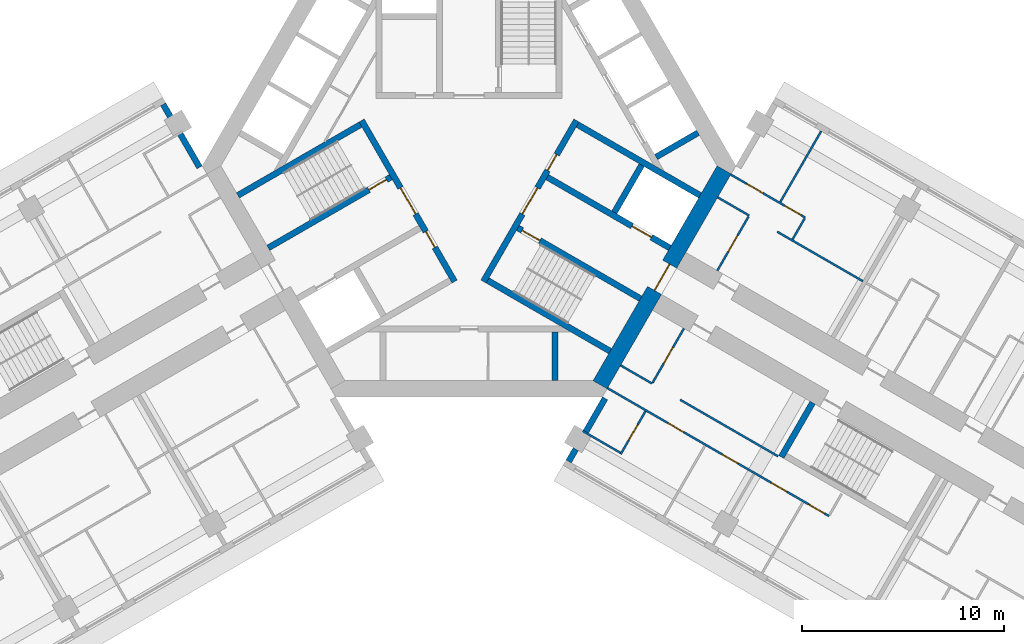
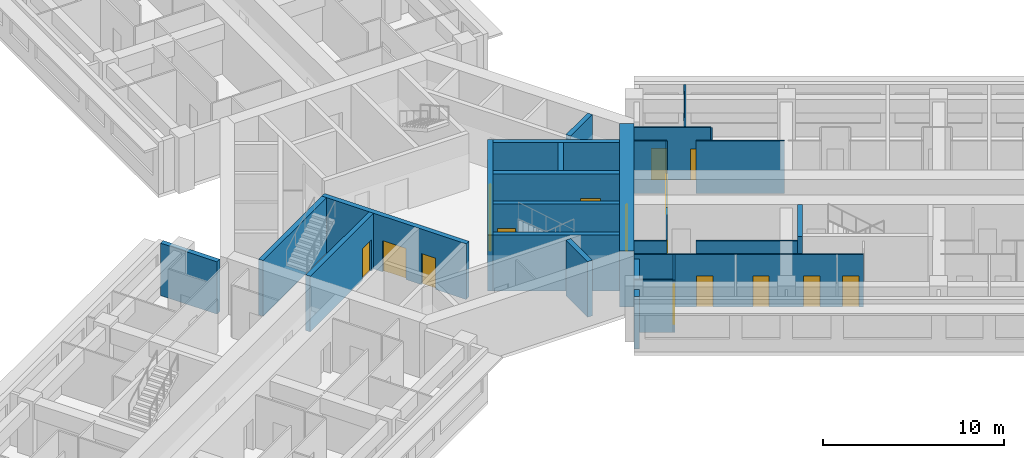
# One storey, part 7 of 14: 28 walls, 17 doors, 17 openings.
"""IFC4 building model written with IfcOpenShell, lengths in metres."""

from ifc_helpers import new_model, si_unit, direction, frame, frame_2d, origin, place, context, subcontext, project, spatial, rectangle, extrude, material, layer, layer_set, type_object, element, fill, save


model = new_model("IFC4")

# Units and contexts
model_context = context("Model", 3, precision=1e-05, world=origin(), true_north=direction((0.0, 1.0)))
body_context = subcontext(model_context, "Body", "Model", "MODEL_VIEW")
ifc_project = project(units=[si_unit("LENGTHUNIT", "METRE"), si_unit("AREAUNIT", "SQUARE_METRE"), si_unit("VOLUMEUNIT", "CUBIC_METRE"), si_unit("PLANEANGLEUNIT", "RADIAN"), si_unit("MASSUNIT", "GRAM", prefix="KILO")], contexts=[model_context])

# Site, building, storey
site_placement = place(None, origin())
site = spatial("IfcSite", under=ifc_project, at=site_placement, CompositionType="ELEMENT")
building_placement = place(site_placement, origin())
building = spatial("IfcBuilding", under=site, at=building_placement, Name="Impinga Residences", CompositionType="ELEMENT")
storey_placement = place(building_placement, frame((0.0, 0.0, 121.0)))
storey = spatial("IfcBuildingStorey", under=building, at=storey_placement, Name="L29", CompositionType="ELEMENT", Elevation=121.0)

# Walls
ifc_material_1 = material(Name="Terracotta rainscreen on blockwork", Category="masonry")
ifc_layer_1 = layer(ifc_material_1, 0.300048828125)
ifc_layer_set_1 = layer_set([ifc_layer_1], Name="EW1 external wall, terracotta rainscreen on blockwork 300")
wall_type_1 = type_object("IfcWallType", Name="EW1 external wall, terracotta rainscreen on blockwork 300", PredefinedType="SOLIDWALL", material=ifc_layer_set_1)
wall_1_placement = place(storey_placement, frame((-15.1298828125, 3.042724609375, 0.0), z_axis=(0.0, 0.0, 1.0), x_axis=(0.500012057535, -0.866018442252, 0.0)))
element("IfcWall", 1, at=wall_1_placement, inside=storey, type_object=wall_type_1, Name="External wall EW1 L29", PredefinedType="SOLIDWALL", context=body_context, shape_type="SweptSolid", body=[
    extrude(rectangle(XDim=3.60009765625, YDim=0.300048828125, at=frame_2d((1.800048828125, 0.0))), origin(), (0.0, 0.0, 1.0), 3.530029296875),
])
wall_2_placement = place(storey_placement, frame((4.929931640625, -14.624267578125, 0.0), z_axis=(0.0, 0.0, 1.0), x_axis=(0.499853302173, 0.866110083249, 0.0)))
element("IfcWall", 2, at=wall_2_placement, inside=storey, type_object=wall_type_1, Name="External wall EW1 L29", PredefinedType="SOLIDWALL", context=body_context, shape_type="SweptSolid", body=[
    extrude(rectangle(XDim=0.699951171875, YDim=0.300048828125, at=frame_2d((0.35009765625, 0.0))), origin(), (0.0, 0.0, 1.0), 3.530029296875),
])
wall_3_placement = place(storey_placement, frame((5.77978515625, -13.152099609375, 0.0), z_axis=(0.0, 0.0, 1.0), x_axis=(0.500063520245, 0.865988727248, 0.0)))
element("IfcWall", 3, at=wall_3_placement, inside=storey, type_object=wall_type_1, Name="External wall EW1 L29", PredefinedType="SOLIDWALL", context=body_context, shape_type="SweptSolid", body=[
    extrude(rectangle(XDim=1.900146484375, YDim=0.300048828125, at=frame_2d((0.9501953125, 0.0))), origin(), (0.0, 0.0, 1.0), 3.530029296875),
])
ifc_material_2 = material(Name="Gypsum board on steel studs", Category="steel")
ifc_layer_2 = layer(ifc_material_2, 0.10009765625)
ifc_layer_set_2 = layer_set([ifc_layer_2], Name="Gypsum board on steel studs")
wall_type_2 = type_object("IfcWallType", Name="IP1 partition 100", PredefinedType="PARTITIONING", material=ifc_layer_set_2)
wall_4_placement = place(storey_placement, frame((12.300048828125, -1.558837890625, 0.0), z_axis=(0.0, 0.0, 1.0), x_axis=(0.866047807691, -0.499961193289, 0.0)))
element("IfcWall", 4, at=wall_4_placement, inside=storey, type_object=wall_type_2, Name="Partition L29-EA1:DIV0", PredefinedType="PARTITIONING", context=body_context, shape_type="SweptSolid", body=[
    extrude(rectangle(XDim=1.800048828125, YDim=0.10009765625, at=frame_2d((0.89990234375, 0.0))), origin(), (0.0, 0.0, 1.0), 3.530029296875),
])
wall_5_placement = place(storey_placement, frame((15.244384765625, -3.2587890625, 0.0), z_axis=(0.0, 0.0, 1.0), x_axis=(0.866036242063, -0.49998122708, 0.0)))
element("IfcWall", 5, at=wall_5_placement, inside=storey, type_object=wall_type_2, Name="Partition L29-EA1:DIV1", PredefinedType="PARTITIONING", context=body_context, shape_type="SweptSolid", body=[
    extrude(rectangle(XDim=4.900146484375, YDim=0.10009765625, at=frame_2d((2.4501953125, 0.0))), origin(), (0.0, 0.0, 1.0), 3.530029296875),
])

# Wall, openings, doors
wall_6_placement = place(storey_placement, frame((12.949951171875, -0.43310546875, 0.0), z_axis=(0.0, 0.0, 1.0), x_axis=(0.866028703517, -0.499994284652, 0.0)))
wall_6 = element("IfcWall", 6, at=wall_6_placement, inside=storey, type_object=wall_type_2, Name="Partition L29-EA1:STRIP", PredefinedType="PARTITIONING", context=body_context, shape_type="SweptSolid", body=[
    extrude(rectangle(XDim=4.25, YDim=0.10009765625, at=frame_2d((2.125, 0.0))), origin(), (0.0, 0.0, 1.0), 3.530029296875),
])
opening_1_placement = place(wall_6_placement, frame((0.925048828125, 0.0, 0.0)))
opening_1 = element("IfcOpeningElement", 7, at=opening_1_placement, cuts=wall_6, Name="Opening D2", PredefinedType="OPENING", context=body_context, shape_type="SweptSolid", body=[
    extrude(rectangle(XDim=0.89990234375, YDim=2.10009765625, at=frame_2d((0.449951171875, 1.050048828125))), frame((0.0, 0.06005859375, 0.0), z_axis=(0.0, -1.0, 0.0), x_axis=(1.0, 0.0, 0.0)), (0.0, 0.0, 1.0), 0.1201171875),
])
opening_2_placement = place(wall_6_placement, frame((3.10009765625, 0.0, 0.0)))
opening_2 = element("IfcOpeningElement", 8, at=opening_2_placement, cuts=wall_6, Name="Opening D2", PredefinedType="OPENING", context=body_context, shape_type="SweptSolid", body=[
    extrude(rectangle(XDim=0.89990234375, YDim=2.10009765625, at=frame_2d((0.449951171875, 1.050048828125))), frame((0.0, 0.06005859375, 0.0), z_axis=(0.0, -1.0, 0.0), x_axis=(1.0, 0.0, 0.0)), (0.0, 0.0, 1.0), 0.1201171875),
])
ifc_material_3 = material(Name="Timber door set", Category="wood")
door_type_1 = type_object("IfcDoorType", Name="D2 internal door 900x2100", OperationType="SINGLE_SWING_LEFT", PredefinedType="DOOR", material=ifc_material_3)
door_1_placement = place(opening_1_placement, origin())
door_1 = element("IfcDoor", 9, at=door_1_placement, inside=storey, type_object=door_type_1, Name="Apartment L29-EA1 room door", OperationType="SINGLE_SWING_LEFT", OverallHeight=2.10009765625, OverallWidth=0.89990234375, PredefinedType="DOOR", context=body_context, shape_type="SweptSolid", body=[
    extrude(rectangle(XDim=0.89990234375, YDim=2.10009765625, at=frame_2d((0.449951171875, 1.050048828125))), frame((0.0, 0.02490234375, 0.0), z_axis=(0.0, -1.0, 0.0), x_axis=(1.0, 0.0, 0.0)), (0.0, 0.0, 1.0), 0.050048828125),
])
fill(opening_1, door_1)
door_2_placement = place(opening_2_placement, origin())
door_2 = element("IfcDoor", 10, at=door_2_placement, inside=storey, type_object=door_type_1, Name="Apartment L29-EA1 room door", OperationType="SINGLE_SWING_RIGHT", OverallHeight=2.10009765625, OverallWidth=0.89990234375, PredefinedType="DOOR", context=body_context, shape_type="SweptSolid", body=[
    extrude(rectangle(XDim=0.89990234375, YDim=2.10009765625, at=frame_2d((0.449951171875, 1.050048828125))), frame((0.0, 0.02490234375, 0.0), z_axis=(0.0, -1.0, 0.0), x_axis=(1.0, 0.0, 0.0)), (0.0, 0.0, 1.0), 0.050048828125),
])
fill(opening_2, door_2)

# Wall
wall_7_placement = place(storey_placement, frame((16.005615234375, -3.640625, 0.0), z_axis=(0.0, 0.0, 1.0), x_axis=(0.500033551112, 0.866006032174, 0.0)))
element("IfcWall", 11, at=wall_7_placement, inside=storey, type_object=wall_type_2, Name="Partition L29-EA1:SE1", PredefinedType="PARTITIONING", context=body_context, shape_type="SweptSolid", body=[
    extrude(rectangle(XDim=1.2001953125, YDim=0.10009765625, at=frame_2d((0.60009765625, 0.0))), origin(), (0.0, 0.0, 1.0), 3.530029296875),
])

# Wall, opening, door
wall_8_placement = place(storey_placement, frame((12.283935546875, -5.186767578125, 0.0), z_axis=(0.0, 0.0, 1.0), x_axis=(0.499967891604, 0.866043940782, 0.0)))
wall_8 = element("IfcWall", 12, at=wall_8_placement, inside=storey, type_object=wall_type_2, Name="Partition L29-EA1:IB1", PredefinedType="PARTITIONING", context=body_context, shape_type="SweptSolid", body=[
    extrude(rectangle(XDim=3.099853515625, YDim=0.10009765625, at=frame_2d((1.5498046875, 0.0))), origin(), (0.0, 0.0, 1.0), 3.530029296875),
])
opening_3_placement = place(wall_8_placement, frame((1.10009765625, 0.0, 0.0)))
opening_3 = element("IfcOpeningElement", 13, at=opening_3_placement, cuts=wall_8, Name="Opening D2", PredefinedType="OPENING", context=body_context, shape_type="SweptSolid", body=[
    extrude(rectangle(XDim=0.89990234375, YDim=2.10009765625, at=frame_2d((0.449951171875, 1.050048828125))), frame((0.0, 0.06005859375, 0.0), z_axis=(0.0, -1.0, 0.0), x_axis=(1.0, 0.0, 0.0)), (0.0, 0.0, 1.0), 0.1201171875),
])
door_3_placement = place(opening_3_placement, origin())
door_3 = element("IfcDoor", 14, at=door_3_placement, inside=storey, type_object=door_type_1, Name="Apartment L29-EA1 bathroom door", OperationType="SINGLE_SWING_LEFT", OverallHeight=2.10009765625, OverallWidth=0.89990234375, PredefinedType="DOOR", context=body_context, shape_type="SweptSolid", body=[
    extrude(rectangle(XDim=0.89990234375, YDim=2.10009765625, at=frame_2d((0.449951171875, 1.050048828125))), frame((0.0, 0.02490234375, 0.0), z_axis=(0.0, -1.0, 0.0), x_axis=(1.0, 0.0, 0.0)), (0.0, 0.0, 1.0), 0.050048828125),
])
fill(opening_3, door_3)

# Walls
wall_9_placement = place(storey_placement, frame((15.39990234375, -1.789794921875, 0.0), z_axis=(0.0, 0.0, 1.0), x_axis=(0.499964223975, 0.866046058097, 0.0)))
element("IfcWall", 15, at=wall_9_placement, inside=storey, type_object=wall_type_2, Name="Partition L29-EA1:OB1", PredefinedType="PARTITIONING", context=body_context, shape_type="SweptSolid", body=[
    extrude(rectangle(XDim=4.050048828125, YDim=0.10009765625, at=frame_2d((2.02490234375, 0.0))), origin(), (0.0, 0.0, 1.0), 3.530029296875),
])
wall_10_placement = place(storey_placement, frame((7.5, -9.872802734375, 0.0), z_axis=(0.0, 0.0, 1.0), x_axis=(0.866047807691, -0.499961193289, 0.0)))
element("IfcWall", 16, at=wall_10_placement, inside=storey, type_object=wall_type_2, Name="Partition L29-EF1:DIV0", PredefinedType="PARTITIONING", context=body_context, shape_type="SweptSolid", body=[
    extrude(rectangle(XDim=1.800048828125, YDim=0.10009765625, at=frame_2d((0.89990234375, 0.0))), origin(), (0.0, 0.0, 1.0), 3.530029296875),
])
wall_11_placement = place(storey_placement, frame((10.444580078125, -11.57275390625, 0.0), z_axis=(0.0, 0.0, 1.0), x_axis=(0.866015695474, -0.500016814911, 0.0)))
element("IfcWall", 17, at=wall_11_placement, inside=storey, type_object=wall_type_2, Name="Partition L29-EF1:DIV1", PredefinedType="PARTITIONING", context=body_context, shape_type="SweptSolid", body=[
    extrude(rectangle(XDim=5.599853515625, YDim=0.10009765625, at=frame_2d((2.7998046875, 0.0))), origin(), (0.0, 0.0, 1.0), 3.530029296875),
])

# Wall, openings, doors
wall_12_placement = place(storey_placement, frame((6.85009765625, -10.99853515625, 0.0), z_axis=(0.0, 0.0, 1.0), x_axis=(0.866024244478, -0.500002007972, 0.0)))
wall_12 = element("IfcWall", 18, at=wall_12_placement, inside=storey, type_object=wall_type_2, Name="Partition L29-EF1:STRIP", PredefinedType="PARTITIONING", context=body_context, shape_type="SweptSolid", body=[
    extrude(rectangle(XDim=12.64990234375, YDim=0.10009765625, at=frame_2d((6.324951171875, 0.0))), origin(), (0.0, 0.0, 1.0), 3.530029296875),
])
opening_4_placement = place(wall_12_placement, frame((3.449951171875, 0.0, 0.0)))
opening_4 = element("IfcOpeningElement", 19, at=opening_4_placement, cuts=wall_12, Name="Opening D2", PredefinedType="OPENING", context=body_context, shape_type="SweptSolid", body=[
    extrude(rectangle(XDim=0.89990234375, YDim=2.10009765625, at=frame_2d((0.449951171875, 1.050048828125))), frame((0.0, 0.06005859375, 0.0), z_axis=(0.0, -1.0, 0.0), x_axis=(1.0, 0.0, 0.0)), (0.0, 0.0, 1.0), 0.1201171875),
])
opening_5_placement = place(wall_12_placement, frame((6.550048828125, 0.0, 0.0)))
opening_5 = element("IfcOpeningElement", 20, at=opening_5_placement, cuts=wall_12, Name="Opening D2", PredefinedType="OPENING", context=body_context, shape_type="SweptSolid", body=[
    extrude(rectangle(XDim=0.89990234375, YDim=2.10009765625, at=frame_2d((0.449951171875, 1.050048828125))), frame((0.0, 0.06005859375, 0.0), z_axis=(0.0, -1.0, 0.0), x_axis=(1.0, 0.0, 0.0)), (0.0, 0.0, 1.0), 0.1201171875),
])
opening_6_placement = place(wall_12_placement, frame((9.35009765625, 0.0, 0.0)))
opening_6 = element("IfcOpeningElement", 21, at=opening_6_placement, cuts=wall_12, Name="Opening D2", PredefinedType="OPENING", context=body_context, shape_type="SweptSolid", body=[
    extrude(rectangle(XDim=0.89990234375, YDim=2.10009765625, at=frame_2d((0.449951171875, 1.050048828125))), frame((0.0, 0.06005859375, 0.0), z_axis=(0.0, -1.0, 0.0), x_axis=(1.0, 0.0, 0.0)), (0.0, 0.0, 1.0), 0.1201171875),
])
opening_7_placement = place(wall_12_placement, frame((11.5, 0.0, 0.0)))
opening_7 = element("IfcOpeningElement", 22, at=opening_7_placement, cuts=wall_12, Name="Opening D2", PredefinedType="OPENING", context=body_context, shape_type="SweptSolid", body=[
    extrude(rectangle(XDim=0.89990234375, YDim=2.10009765625, at=frame_2d((0.449951171875, 1.050048828125))), frame((0.0, 0.06005859375, 0.0), z_axis=(0.0, -1.0, 0.0), x_axis=(1.0, 0.0, 0.0)), (0.0, 0.0, 1.0), 0.1201171875),
])
door_4_placement = place(opening_4_placement, origin())
door_4 = element("IfcDoor", 23, at=door_4_placement, inside=storey, type_object=door_type_1, Name="Apartment L29-EF1 room door", OperationType="SINGLE_SWING_LEFT", OverallHeight=2.10009765625, OverallWidth=0.89990234375, PredefinedType="DOOR", context=body_context, shape_type="SweptSolid", body=[
    extrude(rectangle(XDim=0.89990234375, YDim=2.10009765625, at=frame_2d((0.449951171875, 1.050048828125))), frame((0.0, 0.02490234375, 0.0), z_axis=(0.0, -1.0, 0.0), x_axis=(1.0, 0.0, 0.0)), (0.0, 0.0, 1.0), 0.050048828125),
])
fill(opening_4, door_4)
door_5_placement = place(opening_5_placement, origin())
door_5 = element("IfcDoor", 24, at=door_5_placement, inside=storey, type_object=door_type_1, Name="Apartment L29-EF1 room door", OperationType="SINGLE_SWING_RIGHT", OverallHeight=2.10009765625, OverallWidth=0.89990234375, PredefinedType="DOOR", context=body_context, shape_type="SweptSolid", body=[
    extrude(rectangle(XDim=0.89990234375, YDim=2.10009765625, at=frame_2d((0.449951171875, 1.050048828125))), frame((0.0, 0.02490234375, 0.0), z_axis=(0.0, -1.0, 0.0), x_axis=(1.0, 0.0, 0.0)), (0.0, 0.0, 1.0), 0.050048828125),
])
fill(opening_5, door_5)
door_6_placement = place(opening_6_placement, origin())
door_6 = element("IfcDoor", 25, at=door_6_placement, inside=storey, type_object=door_type_1, Name="Apartment L29-EF1 room door", OperationType="SINGLE_SWING_RIGHT", OverallHeight=2.10009765625, OverallWidth=0.89990234375, PredefinedType="DOOR", context=body_context, shape_type="SweptSolid", body=[
    extrude(rectangle(XDim=0.89990234375, YDim=2.10009765625, at=frame_2d((0.449951171875, 1.050048828125))), frame((0.0, 0.02490234375, 0.0), z_axis=(0.0, -1.0, 0.0), x_axis=(1.0, 0.0, 0.0)), (0.0, 0.0, 1.0), 0.050048828125),
])
fill(opening_6, door_6)
door_7_placement = place(opening_7_placement, origin())
door_7 = element("IfcDoor", 26, at=door_7_placement, inside=storey, type_object=door_type_1, Name="Apartment L29-EF1 room door", OperationType="SINGLE_SWING_RIGHT", OverallHeight=2.10009765625, OverallWidth=0.89990234375, PredefinedType="DOOR", context=body_context, shape_type="SweptSolid", body=[
    extrude(rectangle(XDim=0.89990234375, YDim=2.10009765625, at=frame_2d((0.449951171875, 1.050048828125))), frame((0.0, 0.02490234375, 0.0), z_axis=(0.0, -1.0, 0.0), x_axis=(1.0, 0.0, 0.0)), (0.0, 0.0, 1.0), 0.050048828125),
])
fill(opening_7, door_7)

# Wall, opening, door
wall_13_placement = place(storey_placement, frame((10.6337890625, -8.044677734375, 0.0), z_axis=(0.0, 0.0, 1.0), x_axis=(-0.49999285859, -0.86602952684, 0.0)))
wall_13 = element("IfcWall", 27, at=wall_13_placement, inside=storey, type_object=wall_type_2, Name="Partition L29-EF1:IB1", PredefinedType="PARTITIONING", context=body_context, shape_type="SweptSolid", body=[
    extrude(rectangle(XDim=3.10009765625, YDim=0.10009765625, at=frame_2d((1.550048828125, 0.0))), origin(), (0.0, 0.0, 1.0), 3.530029296875),
])
opening_8_placement = place(wall_13_placement, frame((1.10009765625, 0.0, 0.0)))
opening_8 = element("IfcOpeningElement", 28, at=opening_8_placement, cuts=wall_13, Name="Opening D2", PredefinedType="OPENING", context=body_context, shape_type="SweptSolid", body=[
    extrude(rectangle(XDim=0.89990234375, YDim=2.10009765625, at=frame_2d((0.449951171875, 1.050048828125))), frame((0.0, 0.06005859375, 0.0), z_axis=(0.0, -1.0, 0.0), x_axis=(1.0, 0.0, 0.0)), (0.0, 0.0, 1.0), 0.1201171875),
])
door_8_placement = place(opening_8_placement, origin())
door_8 = element("IfcDoor", 29, at=door_8_placement, inside=storey, type_object=door_type_1, Name="Apartment L29-EF1 bathroom door", OperationType="SINGLE_SWING_LEFT", OverallHeight=2.10009765625, OverallWidth=0.89990234375, PredefinedType="DOOR", context=body_context, shape_type="SweptSolid", body=[
    extrude(rectangle(XDim=0.89990234375, YDim=2.10009765625, at=frame_2d((0.449951171875, 1.050048828125))), frame((0.0, 0.02490234375, 0.0), z_axis=(0.0, -1.0, 0.0), x_axis=(1.0, 0.0, 0.0)), (0.0, 0.0, 1.0), 0.050048828125),
])
fill(opening_8, door_8)

wall_14_placement = place(storey_placement, frame((8.730224609375, -12.141845703125, 0.0), z_axis=(0.0, 0.0, 1.0), x_axis=(-0.499943856944, -0.866057815567, 0.0)))
wall_14 = element("IfcWall", 30, at=wall_14_placement, inside=storey, type_object=wall_type_2, Name="Partition L29-EF1:EN1", PredefinedType="PARTITIONING", context=body_context, shape_type="SweptSolid", body=[
    extrude(rectangle(XDim=2.449951171875, YDim=0.10009765625, at=frame_2d((1.22509765625, 0.0))), origin(), (0.0, 0.0, 1.0), 3.530029296875),
])
opening_9_placement = place(wall_14_placement, frame((0.75, 0.0, 0.0)))
opening_9 = element("IfcOpeningElement", 31, at=opening_9_placement, cuts=wall_14, Name="Opening D2", PredefinedType="OPENING", context=body_context, shape_type="SweptSolid", body=[
    extrude(rectangle(XDim=0.89990234375, YDim=2.10009765625, at=frame_2d((0.449951171875, 1.050048828125))), frame((0.0, 0.06005859375, 0.0), z_axis=(0.0, -1.0, 0.0), x_axis=(1.0, 0.0, 0.0)), (0.0, 0.0, 1.0), 0.1201171875),
])
door_9_placement = place(opening_9_placement, origin())
door_9 = element("IfcDoor", 32, at=door_9_placement, inside=storey, type_object=door_type_1, Name="Apartment L29-EF1 en-suite door", OperationType="SINGLE_SWING_LEFT", OverallHeight=2.10009765625, OverallWidth=0.89990234375, PredefinedType="DOOR", context=body_context, shape_type="SweptSolid", body=[
    extrude(rectangle(XDim=0.89990234375, YDim=2.10009765625, at=frame_2d((0.449951171875, 1.050048828125))), frame((0.0, 0.02490234375, 0.0), z_axis=(0.0, -1.0, 0.0), x_axis=(1.0, 0.0, 0.0)), (0.0, 0.0, 1.0), 0.050048828125),
])
fill(opening_9, door_9)

# Walls
wall_15_placement = place(storey_placement, frame((5.625, -13.120361328125, 0.0), z_axis=(0.0, 0.0, 1.0), x_axis=(0.866047553582, -0.499961633463, 0.0)))
element("IfcWall", 33, at=wall_15_placement, inside=storey, type_object=wall_type_2, Name="Partition L29-EF1:EN2", PredefinedType="PARTITIONING", context=body_context, shape_type="SweptSolid", body=[
    extrude(rectangle(XDim=2.150146484375, YDim=0.10009765625, at=frame_2d((1.0751953125, 0.0))), origin(), (0.0, 0.0, 1.0), 3.530029296875),
])
ifc_material_4 = material(Name="Concrete C60/75", Category="concrete")
ifc_layer_3 = layer(ifc_material_4, 0.300048828125)
ifc_layer_set_3 = layer_set([ifc_layer_3], Name="Concrete C60/75")
wall_type_3 = type_object("IfcWallType", Name="SE1 wing stair enclosure wall 300", PredefinedType="SOLIDWALL", material=ifc_layer_set_3)
wall_16_placement = place(storey_placement, frame((16.9990234375, -11.7197265625, 0.0), z_axis=(0.0, 0.0, 1.0), x_axis=(-0.499967891604, -0.866043940782, 0.0)))
element("IfcWall", 34, at=wall_16_placement, inside=storey, type_object=wall_type_3, Name="Stair enclosure wall SE1 E END0 L29", PredefinedType="SOLIDWALL", context=body_context, shape_type="SweptSolid", body=[
    extrude(rectangle(XDim=3.099853515625, YDim=0.300048828125, at=frame_2d((1.5498046875, 0.0))), origin(), (0.0, 0.0, 1.0), 3.75),
])

# Wall, opening, door
ifc_layer_4 = layer(ifc_material_4, 0.800048828125)
ifc_layer_set_4 = layer_set([ifc_layer_4], Name="Concrete C60/75")
wall_type_4 = type_object("IfcWallType", Name="SW2 core wall 800", PredefinedType="SHEAR", material=ifc_layer_set_4)
wall_17_placement = place(storey_placement, frame((12.62255859375, -0.199951171875, 0.0), z_axis=(0.0, 0.0, 1.0), x_axis=(-0.499986991068, -0.866032914365, 0.0)))
wall_17 = element("IfcWall", 35, at=wall_17_placement, inside=storey, type_object=wall_type_4, Name="Core wall SW2 E:FACE L29", PredefinedType="SHEAR", context=body_context, shape_type="SweptSolid", body=[
    extrude(rectangle(XDim=12.276123046875, YDim=0.800048828125, at=frame_2d((6.13818359375, 0.0))), origin(), (0.0, 0.0, 1.0), 3.75),
])
opening_10_placement = place(wall_17_placement, frame((5.38818359375, 0.0, 0.0)))
opening_10 = element("IfcOpeningElement", 36, at=opening_10_placement, cuts=wall_17, Name="Opening D4", PredefinedType="OPENING", context=body_context, shape_type="SweptSolid", body=[
    extrude(rectangle(XDim=1.5, YDim=2.10009765625, at=frame_2d((0.75, 1.050048828125))), frame((0.0, 0.409912109375, 0.0), z_axis=(0.0, -1.0, 0.0), x_axis=(1.0, 0.0, 0.0)), (0.0, 0.0, 1.0), 0.820068359375),
])
door_type_2 = type_object("IfcDoorType", Name="D4 lobby door pair 1500x2100", OperationType="DOUBLE_DOOR_DOUBLE_SWING", PredefinedType="DOOR", material=ifc_material_3)
door_10_placement = place(opening_10_placement, origin())
door_10 = element("IfcDoor", 37, at=door_10_placement, inside=storey, type_object=door_type_2, Name="Lobby door E", OperationType="DOUBLE_DOOR_DOUBLE_SWING", OverallHeight=2.10009765625, OverallWidth=1.5, PredefinedType="DOOR", context=body_context, shape_type="SweptSolid", body=[
    extrude(rectangle(XDim=1.5, YDim=2.10009765625, at=frame_2d((0.75, 1.050048828125))), frame((0.0, 0.02490234375, 0.0), z_axis=(0.0, -1.0, 0.0), x_axis=(1.0, 0.0, 0.0)), (0.0, 0.0, 1.0), 0.050048828125),
])
fill(opening_10, door_10)

# Wall, openings, doors
ifc_material_5 = material(Name="Concrete C70/85", Category="concrete")
ifc_layer_5 = layer(ifc_material_5, 0.300048828125)
ifc_layer_set_5 = layer_set([ifc_layer_5], Name="Concrete C70/85")
wall_type_5 = type_object("IfcWallType", Name="SW5 core inner wall, stairs, shafts and lobbies 300", PredefinedType="SHEAR", material=ifc_layer_set_5)
wall_18_placement = place(storey_placement, frame((-0.7138671875, -5.7236328125, 0.0), z_axis=(0.0, 0.0, 1.0), x_axis=(-0.499995050369, 0.866028261437, 0.0)))
wall_18 = element("IfcWall", 38, at=wall_18_placement, inside=storey, type_object=wall_type_5, Name="Core wall SW5 W:ZONE L29", PredefinedType="SHEAR", context=body_context, shape_type="SweptSolid", body=[
    extrude(rectangle(XDim=9.19970703125, YDim=0.300048828125, at=frame_2d((4.599853515625, 0.0))), origin(), (0.0, 0.0, 1.0), 3.75),
])
opening_11_placement = place(wall_18_placement, frame((3.85009765625, 0.0, 0.0)))
opening_11 = element("IfcOpeningElement", 39, at=opening_11_placement, cuts=wall_18, Name="Opening D4", PredefinedType="OPENING", context=body_context, shape_type="SweptSolid", body=[
    extrude(rectangle(XDim=1.5, YDim=2.10009765625, at=frame_2d((0.75, 1.050048828125))), frame((0.0, 0.159912109375, 0.0), z_axis=(0.0, -1.0, 0.0), x_axis=(1.0, 0.0, 0.0)), (0.0, 0.0, 1.0), 0.320068359375),
])
opening_12_placement = place(wall_18_placement, frame((1.949951171875, 0.0, 0.0)))
opening_12 = element("IfcOpeningElement", 40, at=opening_12_placement, cuts=wall_18, Name="Opening D6", PredefinedType="OPENING", context=body_context, shape_type="SweptSolid", body=[
    extrude(rectangle(XDim=0.89990234375, YDim=2.10009765625, at=frame_2d((0.449951171875, 1.050048828125))), frame((0.0, 0.159912109375, 0.0), z_axis=(0.0, -1.0, 0.0), x_axis=(1.0, 0.0, 0.0)), (0.0, 0.0, 1.0), 0.320068359375),
])
door_11_placement = place(opening_11_placement, origin())
door_11 = element("IfcDoor", 41, at=door_11_placement, inside=storey, type_object=door_type_2, Name="Firefighting lobby door W", OperationType="DOUBLE_DOOR_DOUBLE_SWING", OverallHeight=2.10009765625, OverallWidth=1.5, PredefinedType="DOOR", context=body_context, shape_type="SweptSolid", body=[
    extrude(rectangle(XDim=1.5, YDim=2.10009765625, at=frame_2d((0.75, 1.050048828125))), frame((0.0, 0.02490234375, 0.0), z_axis=(0.0, -1.0, 0.0), x_axis=(1.0, 0.0, 0.0)), (0.0, 0.0, 1.0), 0.050048828125),
])
fill(opening_11, door_11)
door_type_3 = type_object("IfcDoorType", Name="D6 riser and store door 900x2100", OperationType="SINGLE_SWING_LEFT", PredefinedType="DOOR", material=ifc_material_3)
door_12_placement = place(opening_12_placement, origin())
door_12 = element("IfcDoor", 42, at=door_12_placement, inside=storey, type_object=door_type_3, Name="Riser door W", OperationType="SINGLE_SWING_LEFT", OverallHeight=2.10009765625, OverallWidth=0.89990234375, PredefinedType="DOOR", context=body_context, shape_type="SweptSolid", body=[
    extrude(rectangle(XDim=0.89990234375, YDim=2.10009765625, at=frame_2d((0.449951171875, 1.050048828125))), frame((0.0, 0.02490234375, 0.0), z_axis=(0.0, -1.0, 0.0), x_axis=(1.0, 0.0, 0.0)), (0.0, 0.0, 1.0), 0.050048828125),
])
fill(opening_12, door_12)

# Wall, opening, door
wall_19_placement = place(storey_placement, frame((-3.86865234375, -0.559326171875, 0.0), z_axis=(0.0, 0.0, 1.0), x_axis=(-0.866026480128, -0.499998135713, 0.0)))
wall_19 = element("IfcWall", 43, at=wall_19_placement, inside=storey, type_object=wall_type_5, Name="Core wall SW5 W:ST-IN L29", PredefinedType="SHEAR", context=body_context, shape_type="SweptSolid", body=[
    extrude(rectangle(XDim=7.00146484375, YDim=0.300048828125, at=frame_2d((3.500732421875, 0.0))), origin(), (0.0, 0.0, 1.0), 3.75),
])
opening_13_placement = place(wall_19_placement, frame((0.25, 0.0, 0.0)))
opening_13 = element("IfcOpeningElement", 44, at=opening_13_placement, cuts=wall_19, Name="Opening D5", PredefinedType="OPENING", context=body_context, shape_type="SweptSolid", body=[
    extrude(rectangle(XDim=1.0, YDim=2.10009765625, at=frame_2d((0.5, 1.050048828125))), frame((0.0, 0.159912109375, 0.0), z_axis=(0.0, -1.0, 0.0), x_axis=(1.0, 0.0, 0.0)), (0.0, 0.0, 1.0), 0.320068359375),
])
door_type_4 = type_object("IfcDoorType", Name="D5 stair door 1000x2100", OperationType="SINGLE_SWING_LEFT", PredefinedType="DOOR", material=ifc_material_3)
door_13_placement = place(opening_13_placement, origin())
door_13 = element("IfcDoor", 45, at=door_13_placement, inside=storey, type_object=door_type_4, Name="Stair door W", OperationType="SINGLE_SWING_LEFT", OverallHeight=2.10009765625, OverallWidth=1.0, PredefinedType="DOOR", context=body_context, shape_type="SweptSolid", body=[
    extrude(rectangle(XDim=1.0, YDim=2.10009765625, at=frame_2d((0.5, 1.050048828125))), frame((0.0, 0.02490234375, 0.0), z_axis=(0.0, -1.0, 0.0), x_axis=(1.0, 0.0, 0.0)), (0.0, 0.0, 1.0), 0.050048828125),
])
fill(opening_13, door_13)

# Wall
wall_20_placement = place(storey_placement, frame((-5.36865234375, 2.038818359375, 0.0), z_axis=(0.0, 0.0, 1.0), x_axis=(-0.866026480128, -0.499998135713, 0.0)))
element("IfcWall", 46, at=wall_20_placement, inside=storey, type_object=wall_type_5, Name="Core wall SW5 W:ST-OUT L29", PredefinedType="SHEAR", context=body_context, shape_type="SweptSolid", body=[
    extrude(rectangle(XDim=7.00146484375, YDim=0.300048828125, at=frame_2d((3.500732421875, 0.0))), origin(), (0.0, 0.0, 1.0), 3.75),
])

# Wall, openings, doors
wall_21_placement = place(storey_placement, frame((5.313720703125, 2.24365234375, 0.0), z_axis=(0.0, 0.0, 1.0), x_axis=(-0.499995050369, -0.866028261437, 0.0)))
wall_21 = element("IfcWall", 47, at=wall_21_placement, inside=storey, type_object=wall_type_5, Name="Core wall SW5 E:ZONE L29", PredefinedType="SHEAR", context=body_context, shape_type="SweptSolid", body=[
    extrude(rectangle(XDim=9.19970703125, YDim=0.300048828125, at=frame_2d((4.599853515625, 0.0))), origin(), (0.0, 0.0, 1.0), 3.75),
])
opening_14_placement = place(wall_21_placement, frame((3.85009765625, 0.0, 0.0)))
opening_14 = element("IfcOpeningElement", 48, at=opening_14_placement, cuts=wall_21, Name="Opening D4", PredefinedType="OPENING", context=body_context, shape_type="SweptSolid", body=[
    extrude(rectangle(XDim=1.5, YDim=2.10009765625, at=frame_2d((0.75, 1.050048828125))), frame((0.0, 0.159912109375, 0.0), z_axis=(0.0, -1.0, 0.0), x_axis=(1.0, 0.0, 0.0)), (0.0, 0.0, 1.0), 0.320068359375),
])
opening_15_placement = place(wall_21_placement, frame((1.949951171875, 0.0, 0.0)))
opening_15 = element("IfcOpeningElement", 49, at=opening_15_placement, cuts=wall_21, Name="Opening D6", PredefinedType="OPENING", context=body_context, shape_type="SweptSolid", body=[
    extrude(rectangle(XDim=0.89990234375, YDim=2.10009765625, at=frame_2d((0.449951171875, 1.050048828125))), frame((0.0, 0.159912109375, 0.0), z_axis=(0.0, -1.0, 0.0), x_axis=(1.0, 0.0, 0.0)), (0.0, 0.0, 1.0), 0.320068359375),
])
door_14_placement = place(opening_14_placement, origin())
door_14 = element("IfcDoor", 50, at=door_14_placement, inside=storey, type_object=door_type_2, Name="Firefighting lobby door E", OperationType="DOUBLE_DOOR_DOUBLE_SWING", OverallHeight=2.10009765625, OverallWidth=1.5, PredefinedType="DOOR", context=body_context, shape_type="SweptSolid", body=[
    extrude(rectangle(XDim=1.5, YDim=2.10009765625, at=frame_2d((0.75, 1.050048828125))), frame((0.0, 0.02490234375, 0.0), z_axis=(0.0, -1.0, 0.0), x_axis=(1.0, 0.0, 0.0)), (0.0, 0.0, 1.0), 0.050048828125),
])
fill(opening_14, door_14)
door_15_placement = place(opening_15_placement, origin())
door_15 = element("IfcDoor", 51, at=door_15_placement, inside=storey, type_object=door_type_3, Name="Riser door E", OperationType="SINGLE_SWING_LEFT", OverallHeight=2.10009765625, OverallWidth=0.89990234375, PredefinedType="DOOR", context=body_context, shape_type="SweptSolid", body=[
    extrude(rectangle(XDim=0.89990234375, YDim=2.10009765625, at=frame_2d((0.449951171875, 1.050048828125))), frame((0.0, 0.02490234375, 0.0), z_axis=(0.0, -1.0, 0.0), x_axis=(1.0, 0.0, 0.0)), (0.0, 0.0, 1.0), 0.050048828125),
])
fill(opening_15, door_15)

# Wall, opening, door
wall_22_placement = place(storey_placement, frame((2.418701171875, -3.07080078125, 0.0), z_axis=(0.0, 0.0, 1.0), x_axis=(0.866026480128, -0.499998135713, 0.0)))
wall_22 = element("IfcWall", 52, at=wall_22_placement, inside=storey, type_object=wall_type_5, Name="Core wall SW5 E:ST-IN L29", PredefinedType="SHEAR", context=body_context, shape_type="SweptSolid", body=[
    extrude(rectangle(XDim=7.00146484375, YDim=0.300048828125, at=frame_2d((3.500732421875, 0.0))), origin(), (0.0, 0.0, 1.0), 3.75),
])
opening_16_placement = place(wall_22_placement, frame((0.25, 0.0, 0.0)))
opening_16 = element("IfcOpeningElement", 53, at=opening_16_placement, cuts=wall_22, Name="Opening D5", PredefinedType="OPENING", context=body_context, shape_type="SweptSolid", body=[
    extrude(rectangle(XDim=1.0, YDim=2.10009765625, at=frame_2d((0.5, 1.050048828125))), frame((0.0, 0.159912109375, 0.0), z_axis=(0.0, -1.0, 0.0), x_axis=(1.0, 0.0, 0.0)), (0.0, 0.0, 1.0), 0.320068359375),
])
door_16_placement = place(opening_16_placement, origin())
door_16 = element("IfcDoor", 54, at=door_16_placement, inside=storey, type_object=door_type_4, Name="Stair door E", OperationType="SINGLE_SWING_LEFT", OverallHeight=2.10009765625, OverallWidth=1.0, PredefinedType="DOOR", context=body_context, shape_type="SweptSolid", body=[
    extrude(rectangle(XDim=1.0, YDim=2.10009765625, at=frame_2d((0.5, 1.050048828125))), frame((0.0, 0.02490234375, 0.0), z_axis=(0.0, -1.0, 0.0), x_axis=(1.0, 0.0, 0.0)), (0.0, 0.0, 1.0), 0.050048828125),
])
fill(opening_16, door_16)

# Wall
wall_23_placement = place(storey_placement, frame((0.918701171875, -5.668701171875, 0.0), z_axis=(0.0, 0.0, 1.0), x_axis=(0.866011380966, -0.500024287448, 0.0)))
element("IfcWall", 55, at=wall_23_placement, inside=storey, type_object=wall_type_5, Name="Core wall SW5 E:ST-OUT L29", PredefinedType="SHEAR", context=body_context, shape_type="SweptSolid", body=[
    extrude(rectangle(XDim=7.001708984375, YDim=0.300048828125, at=frame_2d((3.5009765625, 0.0))), origin(), (0.0, 0.0, 1.0), 3.75),
])

# Wall, opening, door
wall_24_placement = place(storey_placement, frame((3.86865234375, -0.559326171875, 0.0), z_axis=(0.0, 0.0, 1.0), x_axis=(0.866026480128, -0.499998135713, 0.0)))
wall_24 = element("IfcWall", 56, at=wall_24_placement, inside=storey, type_object=wall_type_5, Name="Core wall SW5 E:FF-IN L29", PredefinedType="SHEAR", context=body_context, shape_type="SweptSolid", body=[
    extrude(rectangle(XDim=7.00146484375, YDim=0.300048828125, at=frame_2d((3.500732421875, 0.0))), origin(), (0.0, 0.0, 1.0), 3.75),
])
opening_17_placement = place(wall_24_placement, frame((4.85009765625, 0.0, 0.0)))
opening_17 = element("IfcOpeningElement", 57, at=opening_17_placement, cuts=wall_24, Name="Opening LD2", PredefinedType="OPENING", context=body_context, shape_type="SweptSolid", body=[
    extrude(rectangle(XDim=1.10009765625, YDim=2.10009765625, at=frame_2d((0.550048828125, 1.050048828125))), frame((0.0, 0.159912109375, 0.0), z_axis=(0.0, -1.0, 0.0), x_axis=(1.0, 0.0, 0.0)), (0.0, 0.0, 1.0), 0.320068359375),
])
ifc_material_6 = material(Name="Steel lift landing door", Category="steel")
door_type_5 = type_object("IfcDoorType", Name="LD2 firefighting lift landing door 1100x2100", OperationType="DOUBLE_DOOR_SLIDING", PredefinedType="DOOR", material=ifc_material_6)
door_17_placement = place(opening_17_placement, origin())
door_17 = element("IfcDoor", 58, at=door_17_placement, inside=storey, type_object=door_type_5, Name="Firefighting lift landing door F3", OperationType="DOUBLE_DOOR_SLIDING", OverallHeight=2.10009765625, OverallWidth=1.10009765625, PredefinedType="DOOR", context=body_context, shape_type="SweptSolid", body=[
    extrude(rectangle(XDim=1.10009765625, YDim=2.10009765625, at=frame_2d((0.550048828125, 1.050048828125))), frame((0.0, 0.02490234375, 0.0), z_axis=(0.0, -1.0, 0.0), x_axis=(1.0, 0.0, 0.0)), (0.0, 0.0, 1.0), 0.050048828125),
])
fill(opening_17, door_17)

# Walls
wall_25_placement = place(storey_placement, frame((5.36865234375, 2.038818359375, 0.0), z_axis=(0.0, 0.0, 1.0), x_axis=(0.866026480128, -0.499998135713, 0.0)))
element("IfcWall", 59, at=wall_25_placement, inside=storey, type_object=wall_type_5, Name="Core wall SW5 E:FF-OUT L29", PredefinedType="SHEAR", context=body_context, shape_type="SweptSolid", body=[
    extrude(rectangle(XDim=7.00146484375, YDim=0.300048828125, at=frame_2d((3.500732421875, 0.0))), origin(), (0.0, 0.0, 1.0), 3.75),
])
wall_26_placement = place(storey_placement, frame((8.541259765625, 0.033935546875, 0.0), z_axis=(0.0, 0.0, 1.0), x_axis=(-0.50000943426, -0.866019956843, 0.0)))
element("IfcWall", 60, at=wall_26_placement, inside=storey, type_object=wall_type_5, Name="Core wall SW5 E:FF-RS L29", PredefinedType="SHEAR", context=body_context, shape_type="SweptSolid", body=[
    extrude(rectangle(XDim=2.7001953125, YDim=0.300048828125, at=frame_2d((1.35009765625, 0.0))), origin(), (0.0, 0.0, 1.0), 3.75),
])
for number, where, z_axis, x_axis, name in (
    (61, (4.25, -8.2314453125, 0.0), (0.0, 0.0, 1.0), (0.0, -1.0, 0.0), "Core wall SW5 N:BANK-L L29"),
    (62, (9.253662109375, 0.43505859375, 0.0), (0.0, 0.0, 1.0), (0.866006032174, 0.500033551112, 0.0), "Core wall SW5 W:BANK-R L29"),
):
    element("IfcWall", number, at=place(storey_placement, frame(where, z_axis=z_axis, x_axis=x_axis)), inside=storey, type_object=wall_type_5, Name=name, PredefinedType="SHEAR", context=body_context, shape_type="SweptSolid", body=[
        extrude(rectangle(XDim=2.400146484375, YDim=0.300048828125, at=frame_2d((1.2001953125, 0.0))), origin(), (0.0, 0.0, 1.0), 3.75),
    ])

save(model, "model.ifc")
